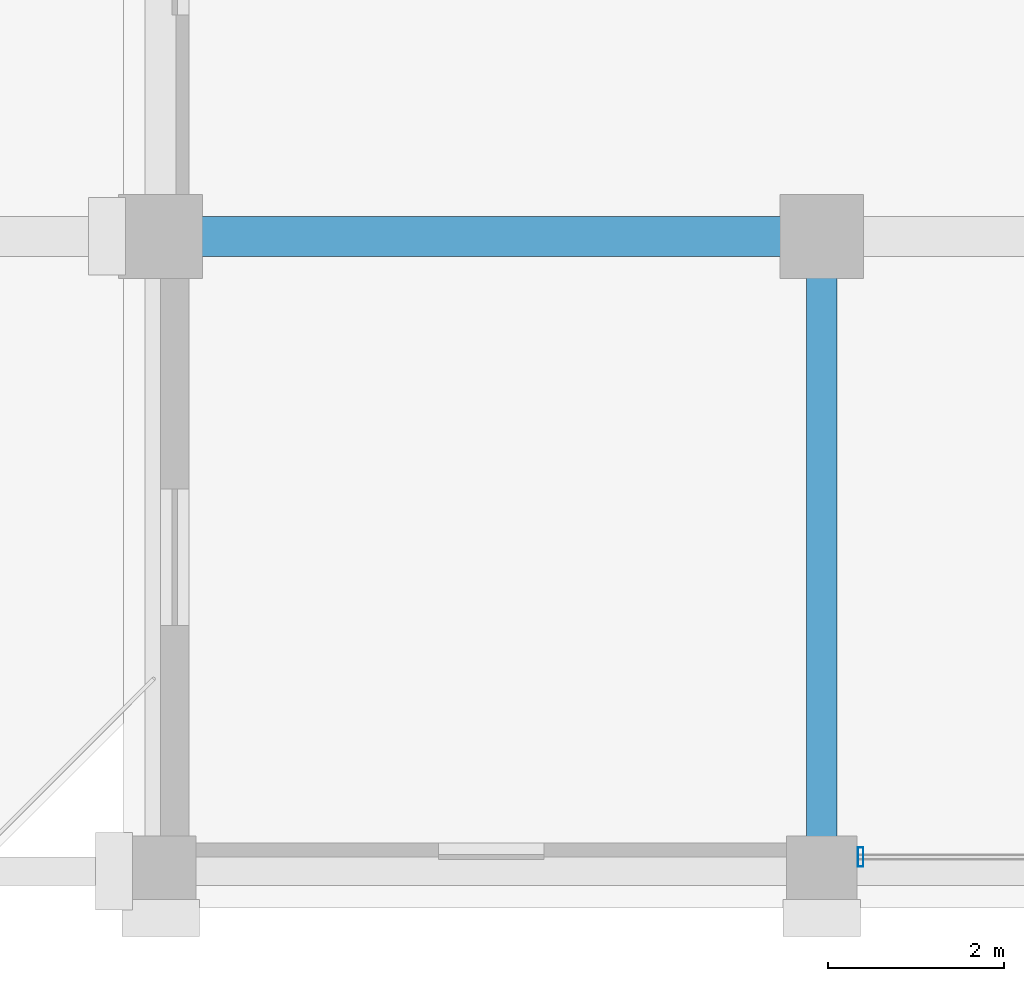
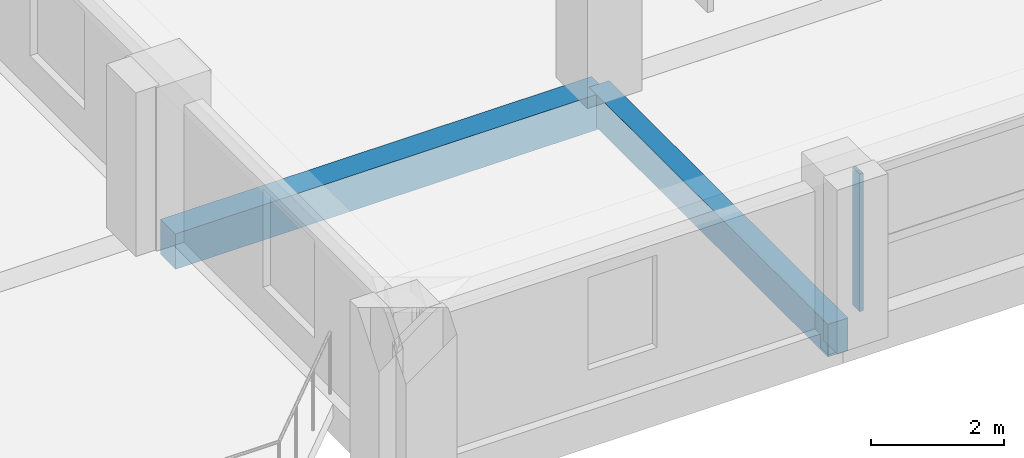
# One storey, part 2 of 22: 2 beams, 1 member, 1 element without a shape of its own.
"""IFC4 building model written with IfcOpenShell, lengths in metres."""

from ifc_helpers import new_model, si_unit, direction, frame, origin, origin_2d, place, context, subcontext, project, spatial, rectangle, hollow_rectangle, extrude, material, material_profile, profile_set, type_object, element, aggregate, save


model = new_model("IFC4")

# Units and contexts
model_context = context("Model", 3, precision=1e-05, world=origin(), true_north=direction((0.0, 1.0)))
body_context = subcontext(model_context, "Body", "Model", "MODEL_VIEW")
ifc_project = project(units=[si_unit("LENGTHUNIT", "METRE"), si_unit("AREAUNIT", "SQUARE_METRE"), si_unit("VOLUMEUNIT", "CUBIC_METRE"), si_unit("PLANEANGLEUNIT", "RADIAN"), si_unit("MASSUNIT", "GRAM", prefix="KILO")], contexts=[model_context])

# Site, building, storey
site_placement = place(None, origin())
site = spatial("IfcSite", under=ifc_project, at=site_placement, CompositionType="ELEMENT")
building_placement = place(site_placement, origin())
building = spatial("IfcBuilding", under=site, at=building_placement, Name="Akrevak Sports Hall", CompositionType="ELEMENT")
storey_placement = place(building_placement, frame((0.0, 0.0, 40.550048828125)))
storey = spatial("IfcBuildingStorey", under=building, at=storey_placement, Name="L09", CompositionType="ELEMENT", Elevation=40.550048828125)

# Curtain wall, member
ifc_material_1 = material(Name="Anodized Bronze Aluminium & Low-E Glass", Category="aluminium")
curtain_wall_type = type_object("IfcCurtainWallType", Name="ARC-CW-TWR-68x30", PredefinedType="NOTDEFINED", material=ifc_material_1)
curtain_wall_placement = place(storey_placement, origin())
curtain_wall = element("IfcCurtainWall", 1, at=curtain_wall_placement, inside=storey, type_object=curtain_wall_type, Name="Curtain Wall CW-L09-S02", PredefinedType="NOTDEFINED")
ifc_material_2 = material(Name="Anodized Bronze Aluminium", Category="aluminium")
ifc_material_profile_1 = material_profile(ifc_material_2, hollow_rectangle(XDim=0.06494140625, YDim=0.219970703125, WallThickness=0.00439453125, at=origin_2d()), Name="CWM 65x220", Category="aluminium")
ifc_profile_set_1 = profile_set([ifc_material_profile_1], Name="Anodized Bronze Aluminium")
member_type = type_object("IfcMemberType", Name="ARC-CWM-70x160", PredefinedType="MULLION", material=ifc_profile_set_1)
member_placement = place(storey_placement, frame((60.43994140625, 21.760009765625, 0.0), z_axis=(0.0, 0.0, 1.0), x_axis=(1.0, 0.0, 0.0)))
member = element("IfcMember", 2, at=member_placement, type_object=member_type, Name="Curtain Wall Mullion CW-L09-S02-M1", PredefinedType="MULLION", context=body_context, shape_type="SweptSolid", body=[
    extrude(hollow_rectangle(XDim=0.06494140625, YDim=0.219970703125, WallThickness=0.00439453125, at=origin_2d()), origin(), (0.0, 0.0, 1.0), 2.530029296875),
])
aggregate(curtain_wall, [member])

# Beams
ifc_material_3 = material(Name="Concrete C40/50", Category="concrete")
ifc_material_profile_2 = material_profile(ifc_material_3, rectangle(XDim=0.35009765625, YDim=0.60009765625, at=origin_2d()), Name="BM 350x600", Category="concrete")
ifc_profile_set_2 = profile_set([ifc_material_profile_2], Name="Concrete C40/50")
beam_type_1 = type_object("IfcBeamType", Name="STR-BM-RC350x600", PredefinedType="BEAM", material=ifc_profile_set_2)
beam_1_placement = place(storey_placement, frame((60.0, 21.60009765625, -0.300048828125), z_axis=(0.0, 1.0, 0.0), x_axis=(-1.0, 0.0, 0.0)))
element("IfcBeam", 3, at=beam_1_placement, inside=storey, type_object=beam_type_1, Name="Girder 9/D-E (L09)", PredefinedType="BEAM", context=body_context, shape_type="SweptSolid", body=[
    extrude(rectangle(XDim=0.35009765625, YDim=0.60009765625, at=origin_2d()), origin(), (0.0, 0.0, 1.0), 7.199951171875),
])
ifc_material_profile_3 = material_profile(ifc_material_3, rectangle(XDim=0.449951171875, YDim=0.64990234375, at=origin_2d()), Name="BM 450x650", Category="concrete")
ifc_profile_set_3 = profile_set([ifc_material_profile_3], Name="Concrete C40/50")
beam_type_2 = type_object("IfcBeamType", Name="STR-BM-RC450x650", PredefinedType="BEAM", material=ifc_profile_set_3)
beam_2_placement = place(storey_placement, frame((52.5, 28.800048828125, -0.324951171875), z_axis=(1.0, 0.0, 0.0), x_axis=(0.0, 1.0, 0.0)))
element("IfcBeam", 4, at=beam_2_placement, inside=storey, type_object=beam_type_2, Name="Girder E/8-9 (L09)", PredefinedType="BEAM", context=body_context, shape_type="SweptSolid", body=[
    extrude(rectangle(XDim=0.449951171875, YDim=0.64990234375, at=origin_2d()), origin(), (0.0, 0.0, 1.0), 7.5),
])

save(model, "model.ifc")
